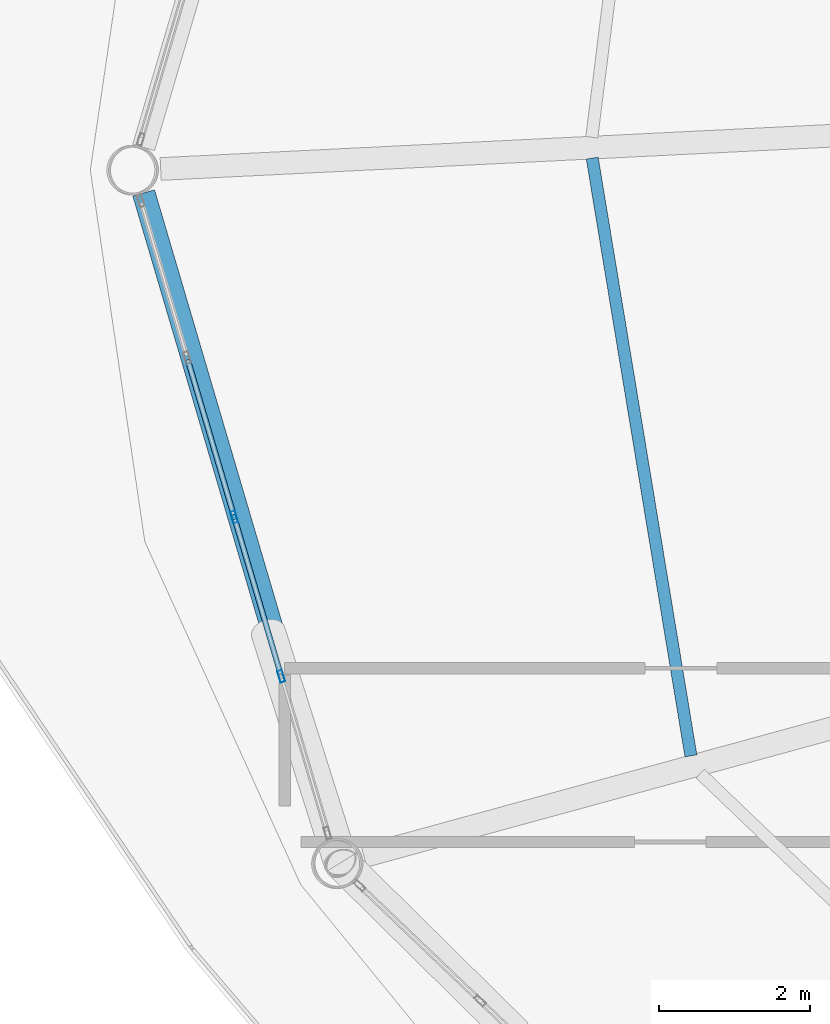
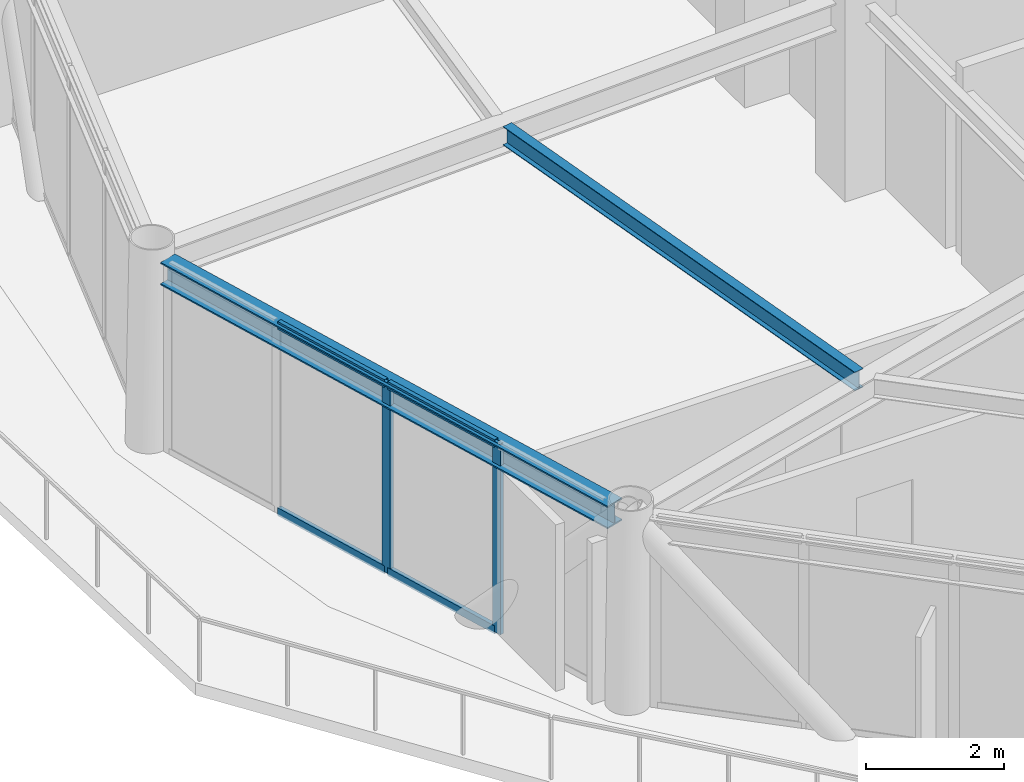
# One storey, part 5 of 28: 6 members, 2 beams, 1 element without a shape of its own.
"""IFC4 building model written with IfcOpenShell, lengths in metres."""

from ifc_helpers import new_model, si_unit, direction, frame, origin, origin_2d, place, context, subcontext, project, spatial, hollow_rectangle, i_section, extrude, material, layer, layer_set, material_profile, profile_set, type_object, element, aggregate, save


model = new_model("IFC4")

# Units and contexts
model_context = context("Model", 3, precision=1e-05, world=origin(), true_north=direction((0.0, 1.0)))
body_context = subcontext(model_context, "Body", "Model", "MODEL_VIEW")
ifc_project = project(units=[si_unit("LENGTHUNIT", "METRE"), si_unit("AREAUNIT", "SQUARE_METRE"), si_unit("VOLUMEUNIT", "CUBIC_METRE"), si_unit("PLANEANGLEUNIT", "RADIAN"), si_unit("MASSUNIT", "GRAM", prefix="KILO")], contexts=[model_context])

# Site, building, storey
site_placement = place(None, origin())
site = spatial("IfcSite", under=ifc_project, at=site_placement, CompositionType="ELEMENT")
building_placement = place(site_placement, origin())
building = spatial("IfcBuilding", under=site, at=building_placement, Name="Varnakorn Sky Granary", CompositionType="ELEMENT")
storey_placement = place(building_placement, frame((0.0, 0.0, 200.39990234375)))
storey = spatial("IfcBuildingStorey", under=building, at=storey_placement, Name="L50", CompositionType="ELEMENT", Elevation=200.39990234375)

# Beams
ifc_material_1 = material(Name="Steel S355JR", Category="steel")
ifc_material_profile_1 = material_profile(ifc_material_1, i_section(OverallWidth=0.159912109375, OverallDepth=0.330078125, WebThickness=0.007568359375, FlangeThickness=0.011474609375, at=origin_2d()), Name="IPE 330")
ifc_profile_set_1 = profile_set([ifc_material_profile_1], Name="Steel S355JR")
beam_type_1 = type_object("IfcBeamType", Name="BM-SEC-Z4", PredefinedType="BEAM", material=ifc_profile_set_1)
beam_1_placement = place(storey_placement, frame((-8.426025390625, 0.15966796875, 3.195068359375), z_axis=(0.16290922756, -0.986641061164, 0.0), x_axis=(0.986641061164, 0.16290922756, 0.0)))
element("IfcBeam", 1, at=beam_1_placement, inside=storey, type_object=beam_type_1, Name="Secondary Floor Chord Beam MSB07 L50", PredefinedType="BEAM", context=body_context, shape_type="SweptSolid", body=[
    extrude(i_section(OverallWidth=0.159912109375, OverallDepth=0.330078125, WebThickness=0.007568359375, FlangeThickness=0.011474609375, at=origin_2d()), origin(), (0.0, 0.0, 1.0), 8.026611328125),
])
ifc_material_profile_2 = material_profile(ifc_material_1, i_section(OverallWidth=0.300048828125, OverallDepth=0.39990234375, WebThickness=0.013427734375, FlangeThickness=0.02392578125, at=origin_2d()), Name="HE 400 B")
ifc_profile_set_2 = profile_set([ifc_material_profile_2], Name="Steel S355JR")
beam_type_2 = type_object("IfcBeamType", Name="BM-SPD-Z4", PredefinedType="SPANDREL", material=ifc_profile_set_2)
beam_2_placement = place(storey_placement, frame((-14.368896484375, -0.302001953125, 3.16015625), z_axis=(0.282725631314, -0.959200822246, 0.0), x_axis=(0.959200822246, 0.282725631314, 0.0)))
element("IfcBeam", 2, at=beam_2_placement, inside=storey, type_object=beam_type_2, Name="Perimeter Spandrel Ring Beam RB07 L50", PredefinedType="SPANDREL", context=body_context, shape_type="SweptSolid", body=[
    extrude(i_section(OverallWidth=0.300048828125, OverallDepth=0.39990234375, WebThickness=0.013427734375, FlangeThickness=0.02392578125, at=origin_2d()), origin(), (0.0, 0.0, 1.0), 8.932373046875),
])

# Curtain wall, members
ifc_material_2 = material(Name="Anodised Bronze Aluminium Alloy 6063-T6", Category="aluminium")
ifc_layer = layer(ifc_material_2, 0.169921875, Name="Anodised Bronze Aluminium Alloy 6063-T6")
ifc_layer_set = layer_set([ifc_layer], Name="Anodised Bronze Aluminium Alloy 6063-T6")
curtain_wall_type = type_object("IfcCurtainWallType", Name="CW-LAB-1", PredefinedType="USERDEFINED", material=ifc_layer_set)
curtain_wall_placement = place(storey_placement, origin())
curtain_wall = element("IfcCurtainWall", 3, at=curtain_wall_placement, inside=storey, type_object=curtain_wall_type, Name="Unitised Curtain Wall CW5 CW-L50-B07", ObjectType="CURTAIN WALL", PredefinedType="USERDEFINED")
ifc_material_profile_3 = material_profile(ifc_material_2, hollow_rectangle(XDim=0.06494140625, YDim=0.159912109375, WallThickness=0.00341796875, at=origin_2d()), Name="ALU MULL 65x160")
ifc_profile_set_3 = profile_set([ifc_material_profile_3], Name="Anodised Bronze Aluminium Alloy 6063-T6")
member_type_1 = type_object("IfcMemberType", Name="CW-LAB-1-MULL", PredefinedType="MULLION", material=ifc_profile_set_3)
member_1_placement = place(storey_placement, frame((-12.546630859375, -6.704833984375, 0.0), z_axis=(0.0, 0.0, 1.0), x_axis=(-0.959077331245, -0.283144261272, 0.0)))
member_1 = element("IfcMember", 4, at=member_1_placement, type_object=member_type_1, Name="CW5 mullion 2", PredefinedType="MULLION", context=body_context, shape_type="SweptSolid", body=[
    extrude(hollow_rectangle(XDim=0.06494140625, YDim=0.159912109375, WallThickness=0.00341796875, at=origin_2d()), origin(), (0.0, 0.0, 1.0), 3.360107421875),
])
member_2_placement = place(storey_placement, frame((-13.169677734375, -4.594482421875, 0.0), z_axis=(0.0, 0.0, 1.0), x_axis=(-0.959077331245, -0.283144261272, 0.0)))
member_2 = element("IfcMember", 5, at=member_2_placement, type_object=member_type_1, Name="CW5 mullion 3", PredefinedType="MULLION", context=body_context, shape_type="SweptSolid", body=[
    extrude(hollow_rectangle(XDim=0.06494140625, YDim=0.159912109375, WallThickness=0.00341796875, at=origin_2d()), origin(), (0.0, 0.0, 1.0), 3.360107421875),
])
ifc_material_profile_4 = material_profile(ifc_material_2, hollow_rectangle(XDim=0.070068359375, YDim=0.139892578125, WallThickness=0.00341796875, at=origin_2d()), Name="ALU TRAN 70x140")
ifc_profile_set_4 = profile_set([ifc_material_profile_4], Name="Anodised Bronze Aluminium Alloy 6063-T6")
member_type_2 = type_object("IfcMemberType", Name="CW-LAB-1-TRAN", PredefinedType="USERDEFINED", material=ifc_profile_set_4)
member_3_placement = place(storey_placement, frame((-12.555908203125, -6.673583984375, 0.03515625), z_axis=(-0.283107130654, 0.959088292376, 0.0), x_axis=(-0.959088292376, -0.283107130654, 0.0)))
member_3 = element("IfcMember", 6, at=member_3_placement, type_object=member_type_2, Name="CW5 transom 2.1", ObjectType="TRANSOM", PredefinedType="USERDEFINED", context=body_context, shape_type="SweptSolid", body=[
    extrude(hollow_rectangle(XDim=0.070068359375, YDim=0.139892578125, WallThickness=0.00341796875, at=origin_2d()), origin(), (0.0, 0.0, 1.0), 2.13525390625),
])
member_4_placement = place(storey_placement, frame((-12.555908203125, -6.673583984375, 3.3251953125), z_axis=(-0.283107130654, 0.959088292376, 0.0), x_axis=(-0.959088292376, -0.283107130654, 0.0)))
member_4 = element("IfcMember", 7, at=member_4_placement, type_object=member_type_2, Name="CW5 transom 2.2", ObjectType="TRANSOM", PredefinedType="USERDEFINED", context=body_context, shape_type="SweptSolid", body=[
    extrude(hollow_rectangle(XDim=0.070068359375, YDim=0.139892578125, WallThickness=0.00341796875, at=origin_2d()), origin(), (0.0, 0.0, 1.0), 2.13525390625),
])
member_5_placement = place(storey_placement, frame((-13.1787109375, -4.563232421875, 0.03515625), z_axis=(-0.283212301715, 0.959057241335, 0.0), x_axis=(-0.959057241335, -0.283212301715, 0.0)))
member_5 = element("IfcMember", 8, at=member_5_placement, type_object=member_type_2, Name="CW5 transom 3.1", ObjectType="TRANSOM", PredefinedType="USERDEFINED", context=body_context, shape_type="SweptSolid", body=[
    extrude(hollow_rectangle(XDim=0.070068359375, YDim=0.139892578125, WallThickness=0.00341796875, at=origin_2d()), origin(), (0.0, 0.0, 1.0), 2.13525390625),
])
member_6_placement = place(storey_placement, frame((-13.1787109375, -4.563232421875, 3.3251953125), z_axis=(-0.283212301715, 0.959057241335, 0.0), x_axis=(-0.959057241335, -0.283212301715, 0.0)))
member_6 = element("IfcMember", 9, at=member_6_placement, type_object=member_type_2, Name="CW5 transom 3.2", ObjectType="TRANSOM", PredefinedType="USERDEFINED", context=body_context, shape_type="SweptSolid", body=[
    extrude(hollow_rectangle(XDim=0.070068359375, YDim=0.139892578125, WallThickness=0.00341796875, at=origin_2d()), origin(), (0.0, 0.0, 1.0), 2.13525390625),
])
aggregate(curtain_wall, [member_1, member_2, member_3, member_4, member_5, member_6])

save(model, "model.ifc")
